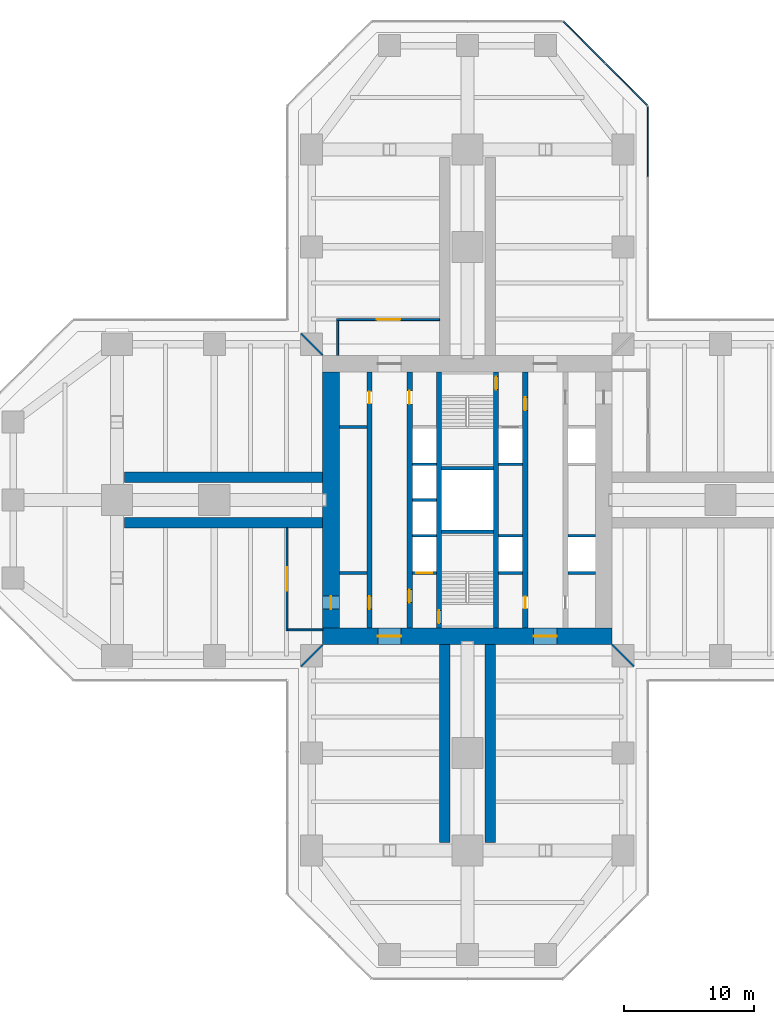
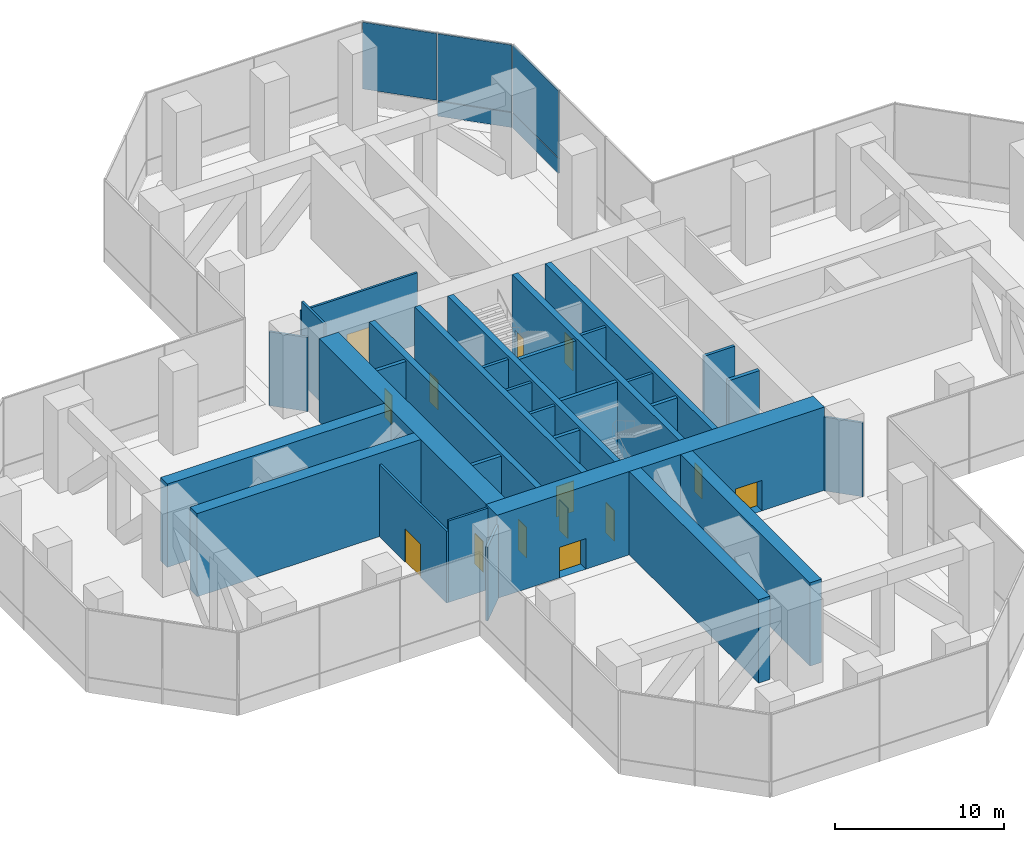
# One storey, part 15 of 20: 31 walls, 14 doors, 5 plates, 14 openings, 2 elements without a shape of their own.
"""IFC4 building model written with IfcOpenShell, lengths in metres."""

from ifc_helpers import new_model, si_unit, direction, frame, frame_2d, origin, origin_2d, place, context, subcontext, project, spatial, rectangle, extrude, material, layer, layer_set, type_object, element, fill, aggregate, save


model = new_model("IFC4")

# Units and contexts
model_context = context("Model", 3, precision=1e-05, world=origin(), true_north=direction((0.0, 1.0)))
body_context = subcontext(model_context, "Body", "Model", "MODEL_VIEW")
ifc_project = project(units=[si_unit("LENGTHUNIT", "METRE"), si_unit("AREAUNIT", "SQUARE_METRE"), si_unit("VOLUMEUNIT", "CUBIC_METRE"), si_unit("PLANEANGLEUNIT", "RADIAN"), si_unit("MASSUNIT", "GRAM", prefix="KILO")], contexts=[model_context])

# Site, building, storey
site_placement = place(None, origin())
site = spatial("IfcSite", under=ifc_project, at=site_placement, CompositionType="ELEMENT")
building_placement = place(site_placement, origin())
building = spatial("IfcBuilding", under=site, at=building_placement, Name="Mizan Broadcast Tower", CompositionType="ELEMENT")
storey_placement = place(building_placement, frame((0.0, 0.0, 118.199951171875)))
storey = spatial("IfcBuildingStorey", under=building, at=storey_placement, Name="L26", CompositionType="ELEMENT", Elevation=118.199951171875)

# Curtain wall, plates
ifc_material_1 = material(Name="Aluminium framed glazing", Category="aluminium")
curtain_wall_type = type_object("IfcCurtainWallType", Name="PLANT LOUVRE", PredefinedType="USERDEFINED", material=ifc_material_1)
curtain_wall_1_placement = place(storey_placement, origin())
curtain_wall_1 = element("IfcCurtainWall", 1, at=curtain_wall_1_placement, inside=storey, type_object=curtain_wall_type, Name="Plant louvre L26 N side", ObjectType="PLANT LOUVRE", PredefinedType="USERDEFINED")
ifc_material_2 = material(Name="Extruded aluminium weather louvre, pale anodised", Category="aluminium")
ifc_layer_1 = layer(ifc_material_2, 0.10009765625)
ifc_layer_set_1 = layer_set([ifc_layer_1], Name="Extruded aluminium weather louvre, pale anodised")
plate_type = type_object("IfcPlateType", Name="PLANT LOUVRE PANEL", PredefinedType="USERDEFINED", material=ifc_layer_set_1)
plate_1_placement = place(storey_placement, frame((13.89990234375, 27.6123046875, 0.0), z_axis=(0.0, 0.0, 1.0), x_axis=(0.0, 1.0, 0.0)))
plate_1 = element("IfcPlate", 2, at=plate_1_placement, type_object=plate_type, Name="Plant louvre L26 N side panel 3.1", ObjectType="LOUVRE", PredefinedType="USERDEFINED", context=body_context, shape_type="SweptSolid", body=[
    extrude(rectangle(XDim=5.40087890625, YDim=0.10009765625, at=origin_2d()), origin(), (0.0, 0.0, 1.0), 1.070068359375),
])
plate_2_placement = place(storey_placement, frame((13.89990234375, 27.6123046875, 1.130126953125), z_axis=(0.0, 0.0, 1.0), x_axis=(0.0, 1.0, 0.0)))
plate_2 = element("IfcPlate", 3, at=plate_2_placement, type_object=plate_type, Name="Plant louvre L26 N side panel 3.2", ObjectType="LOUVRE", PredefinedType="USERDEFINED", context=body_context, shape_type="SweptSolid", body=[
    extrude(rectangle(XDim=5.40087890625, YDim=0.10009765625, at=origin_2d()), origin(), (0.0, 0.0, 1.0), 4.81005859375),
])
aggregate(curtain_wall_1, [plate_1, plate_2])

curtain_wall_2_placement = place(storey_placement, origin())
curtain_wall_2 = element("IfcCurtainWall", 4, at=curtain_wall_2_placement, inside=storey, type_object=curtain_wall_type, Name="Plant louvre L26 N chamfer", ObjectType="PLANT LOUVRE", PredefinedType="USERDEFINED")
plate_3_placement = place(storey_placement, frame((12.257568359375, 32.01513671875, 0.0), z_axis=(0.0, 0.0, 1.0), x_axis=(-0.707106781187, 0.707106781187, 0.0)))
plate_3 = element("IfcPlate", 5, at=plate_3_placement, type_object=plate_type, Name="Plant louvre L26 N chamfer panel 1.1", ObjectType="LOUVRE", PredefinedType="USERDEFINED", context=body_context, shape_type="SweptSolid", body=[
    extrude(rectangle(XDim=4.525390625, YDim=0.10009765625, at=origin_2d()), origin(), (0.0, 0.0, 1.0), 1.070068359375),
])
plate_4_placement = place(storey_placement, frame((12.257568359375, 32.01513671875, 1.130126953125), z_axis=(0.0, 0.0, 1.0), x_axis=(-0.707106781187, 0.707106781187, 0.0)))
plate_4 = element("IfcPlate", 6, at=plate_4_placement, type_object=plate_type, Name="Plant louvre L26 N chamfer panel 1.2", ObjectType="LOUVRE", PredefinedType="USERDEFINED", context=body_context, shape_type="SweptSolid", body=[
    extrude(rectangle(XDim=4.525390625, YDim=0.10009765625, at=origin_2d()), origin(), (0.0, 0.0, 1.0), 4.81005859375),
])
plate_5_placement = place(storey_placement, frame((9.01513671875, 35.257568359375, 1.130126953125), z_axis=(0.0, 0.0, 1.0), x_axis=(-0.707106781187, 0.707106781187, 0.0)))
plate_5 = element("IfcPlate", 7, at=plate_5_placement, type_object=plate_type, Name="Plant louvre L26 N chamfer panel 2.2", ObjectType="LOUVRE", PredefinedType="USERDEFINED", context=body_context, shape_type="SweptSolid", body=[
    extrude(rectangle(XDim=4.525390625, YDim=0.10009765625, at=origin_2d()), origin(), (0.0, 0.0, 1.0), 4.81005859375),
])
aggregate(curtain_wall_2, [plate_3, plate_4, plate_5])

# Wall, openings, doors
ifc_material_3 = material(Name="Concrete C70/85", Category="concrete")
ifc_layer_2 = layer(ifc_material_3, 0.39990234375)
ifc_layer_set_2 = layer_set([ifc_layer_2], Name="Concrete C70/85")
wall_type_1 = type_object("IfcWallType", Name="CORE INTERNAL WALL 400", PredefinedType="SHEAR", material=ifc_layer_set_2)
wall_1_placement = place(storey_placement, frame((-7.550048828125, -9.85009765625, 0.0), z_axis=(0.0, 0.0, 1.0), x_axis=(0.0, 1.0, 0.0)))
wall_1 = element("IfcWall", 8, at=wall_1_placement, inside=storey, type_object=wall_type_1, Name="Core wall CORE/XW1", PredefinedType="SHEAR", context=body_context, shape_type="SweptSolid", body=[
    extrude(rectangle(XDim=19.7001953125, YDim=0.39990234375, at=frame_2d((9.85009765625, 0.0))), origin(), (0.0, 0.0, 1.0), 6.0),
])
opening_1_placement = place(wall_1_placement, frame((1.449951171875, 0.0, 0.0)))
opening_1 = element("IfcOpeningElement", 9, at=opening_1_placement, cuts=wall_1, Name="Opening D10F", PredefinedType="OPENING", context=body_context, shape_type="SweptSolid", body=[
    extrude(rectangle(XDim=1.0, YDim=2.199951171875, at=frame_2d((0.5, 1.10009765625))), frame((0.0, 0.2099609375, 0.0), z_axis=(0.0, -1.0, 0.0), x_axis=(1.0, 0.0, 0.0)), (0.0, 0.0, 1.0), 0.419921875),
])
opening_2_placement = place(wall_1_placement, frame((17.300048828125, 0.0, 0.0)))
opening_2 = element("IfcOpeningElement", 10, at=opening_2_placement, cuts=wall_1, Name="Opening D09", PredefinedType="OPENING", context=body_context, shape_type="SweptSolid", body=[
    extrude(rectangle(XDim=0.89990234375, YDim=2.10009765625, at=frame_2d((0.449951171875, 1.050048828125))), frame((0.0, 0.2099609375, 0.0), z_axis=(0.0, -1.0, 0.0), x_axis=(1.0, 0.0, 0.0)), (0.0, 0.0, 1.0), 0.419921875),
])
ifc_material_4 = material(Name="Steel door leaf in steel frame", Category="steel")
door_type_1 = type_object("IfcDoorType", Name="FIRE DOOR 1000 FD90", OperationType="SINGLE_SWING_LEFT", PredefinedType="DOOR", material=ifc_material_4)
door_1_placement = place(opening_1_placement, origin())
door_1 = element("IfcDoor", 11, at=door_1_placement, inside=storey, type_object=door_type_1, Name="West core passage door", OperationType="SINGLE_SWING_LEFT", OverallHeight=2.199951171875, OverallWidth=1.0, PredefinedType="DOOR", context=body_context, shape_type="SweptSolid", body=[
    extrude(rectangle(XDim=1.0, YDim=2.199951171875, at=frame_2d((0.5, 1.10009765625))), frame((0.0, 0.02490234375, 0.0), z_axis=(0.0, -1.0, 0.0), x_axis=(1.0, 0.0, 0.0)), (0.0, 0.0, 1.0), 0.050048828125),
])
fill(opening_1, door_1)
ifc_material_5 = material(Name="Timber door leaf in aluminium frame", Category="wood")
door_type_2 = type_object("IfcDoorType", Name="TOILET DOOR 900", OperationType="SINGLE_SWING_LEFT", PredefinedType="DOOR", material=ifc_material_5)
door_2_placement = place(opening_2_placement, origin())
door_2 = element("IfcDoor", 12, at=door_2_placement, inside=storey, type_object=door_type_2, Name="Male WC door", OperationType="SINGLE_SWING_RIGHT", OverallHeight=2.10009765625, OverallWidth=0.89990234375, PredefinedType="DOOR", context=body_context, shape_type="SweptSolid", body=[
    extrude(rectangle(XDim=0.89990234375, YDim=2.10009765625, at=frame_2d((0.449951171875, 1.050048828125))), frame((0.0, 0.02490234375, 0.0), z_axis=(0.0, -1.0, 0.0), x_axis=(1.0, 0.0, 0.0)), (0.0, 0.0, 1.0), 0.050048828125),
])
fill(opening_2, door_2)

wall_2_placement = place(storey_placement, frame((-4.449951171875, -9.85009765625, 0.0), z_axis=(0.0, 0.0, 1.0), x_axis=(0.0, 1.0, 0.0)))
wall_2 = element("IfcWall", 13, at=wall_2_placement, inside=storey, type_object=wall_type_1, Name="Core wall CORE/XWH", PredefinedType="SHEAR", context=body_context, shape_type="SweptSolid", body=[
    extrude(rectangle(XDim=19.7001953125, YDim=0.39990234375, at=frame_2d((9.85009765625, 0.0))), origin(), (0.0, 0.0, 1.0), 6.0),
])
opening_3_placement = place(wall_2_placement, frame((1.949951171875, 0.0, 0.0)))
opening_3 = element("IfcOpeningElement", 14, at=opening_3_placement, cuts=wall_2, Name="Opening D10F", PredefinedType="OPENING", context=body_context, shape_type="SweptSolid", body=[
    extrude(rectangle(XDim=1.0, YDim=2.199951171875, at=frame_2d((0.5, 1.10009765625))), frame((0.0, 0.2099609375, 0.0), z_axis=(0.0, -1.0, 0.0), x_axis=(1.0, 0.0, 0.0)), (0.0, 0.0, 1.0), 0.419921875),
])
opening_4_placement = place(wall_2_placement, frame((17.25, 0.0, 0.0)))
opening_4 = element("IfcOpeningElement", 15, at=opening_4_placement, cuts=wall_2, Name="Opening D10A", PredefinedType="OPENING", context=body_context, shape_type="SweptSolid", body=[
    extrude(rectangle(XDim=1.0, YDim=2.10009765625, at=frame_2d((0.5, 1.050048828125))), frame((0.0, 0.2099609375, 0.0), z_axis=(0.0, -1.0, 0.0), x_axis=(1.0, 0.0, 0.0)), (0.0, 0.0, 1.0), 0.419921875),
])
ifc_material_6 = material(Name="Timber door leaf in aluminium frame", Category="wood")
door_type_3 = type_object("IfcDoorType", Name="ACCESSIBLE WC DOOR 1000", OperationType="SLIDING_TO_LEFT", PredefinedType="DOOR", material=ifc_material_6)
door_3_placement = place(opening_4_placement, origin())
door_3 = element("IfcDoor", 16, at=door_3_placement, inside=storey, type_object=door_type_3, Name="Accessible WC door", OperationType="SLIDING_TO_LEFT", OverallHeight=2.10009765625, OverallWidth=1.0, PredefinedType="DOOR", context=body_context, shape_type="SweptSolid", body=[
    extrude(rectangle(XDim=1.0, YDim=2.10009765625, at=frame_2d((0.5, 1.050048828125))), frame((0.0, 0.02490234375, 0.0), z_axis=(0.0, -1.0, 0.0), x_axis=(1.0, 0.0, 0.0)), (0.0, 0.0, 1.0), 0.050048828125),
])
fill(opening_4, door_3)
door_4_placement = place(opening_3_placement, origin())
door_4 = element("IfcDoor", 17, at=door_4_placement, inside=storey, type_object=door_type_1, Name="Firefighting lobby A door", OperationType="SINGLE_SWING_LEFT", OverallHeight=2.199951171875, OverallWidth=1.0, PredefinedType="DOOR", context=body_context, shape_type="SweptSolid", body=[
    extrude(rectangle(XDim=1.0, YDim=2.199951171875, at=frame_2d((0.5, 1.10009765625))), frame((0.0, 0.02490234375, 0.0), z_axis=(0.0, -1.0, 0.0), x_axis=(1.0, 0.0, 0.0)), (0.0, 0.0, 1.0), 0.050048828125),
])
fill(opening_3, door_4)

wall_3_placement = place(storey_placement, frame((4.449951171875, 9.85009765625, 0.0), z_axis=(0.0, 0.0, 1.0), x_axis=(0.0, -1.0, 0.0)))
wall_3 = element("IfcWall", 18, at=wall_3_placement, inside=storey, type_object=wall_type_1, Name="Core wall CORE/XWHE", PredefinedType="SHEAR", context=body_context, shape_type="SweptSolid", body=[
    extrude(rectangle(XDim=19.7001953125, YDim=0.39990234375, at=frame_2d((9.85009765625, 0.0))), origin(), (0.0, 0.0, 1.0), 6.0),
])
opening_5_placement = place(wall_3_placement, frame((1.949951171875, 0.0, 0.0)))
opening_5 = element("IfcOpeningElement", 19, at=opening_5_placement, cuts=wall_3, Name="Opening D10F", PredefinedType="OPENING", context=body_context, shape_type="SweptSolid", body=[
    extrude(rectangle(XDim=1.0, YDim=2.199951171875, at=frame_2d((0.5, 1.10009765625))), frame((0.0, 0.2099609375, 0.0), z_axis=(0.0, -1.0, 0.0), x_axis=(1.0, 0.0, 0.0)), (0.0, 0.0, 1.0), 0.419921875),
])
opening_6_placement = place(wall_3_placement, frame((17.300048828125, 0.0, 0.0)))
opening_6 = element("IfcOpeningElement", 20, at=opening_6_placement, cuts=wall_3, Name="Opening D09", PredefinedType="OPENING", context=body_context, shape_type="SweptSolid", body=[
    extrude(rectangle(XDim=0.89990234375, YDim=2.10009765625, at=frame_2d((0.449951171875, 1.050048828125))), frame((0.0, 0.2099609375, 0.0), z_axis=(0.0, -1.0, 0.0), x_axis=(1.0, 0.0, 0.0)), (0.0, 0.0, 1.0), 0.419921875),
])
door_5_placement = place(opening_5_placement, origin())
door_5 = element("IfcDoor", 21, at=door_5_placement, inside=storey, type_object=door_type_1, Name="Firefighting lobby B door", OperationType="SINGLE_SWING_LEFT", OverallHeight=2.199951171875, OverallWidth=1.0, PredefinedType="DOOR", context=body_context, shape_type="SweptSolid", body=[
    extrude(rectangle(XDim=1.0, YDim=2.199951171875, at=frame_2d((0.5, 1.10009765625))), frame((0.0, 0.02490234375, 0.0), z_axis=(0.0, -1.0, 0.0), x_axis=(1.0, 0.0, 0.0)), (0.0, 0.0, 1.0), 0.050048828125),
])
fill(opening_5, door_5)
door_6_placement = place(opening_6_placement, origin())
door_6 = element("IfcDoor", 22, at=door_6_placement, inside=storey, type_object=door_type_2, Name="Cleaner's store door", OperationType="SINGLE_SWING_RIGHT", OverallHeight=2.10009765625, OverallWidth=0.89990234375, PredefinedType="DOOR", context=body_context, shape_type="SweptSolid", body=[
    extrude(rectangle(XDim=0.89990234375, YDim=2.10009765625, at=frame_2d((0.449951171875, 1.050048828125))), frame((0.0, 0.02490234375, 0.0), z_axis=(0.0, -1.0, 0.0), x_axis=(1.0, 0.0, 0.0)), (0.0, 0.0, 1.0), 0.050048828125),
])
fill(opening_6, door_6)

# Wall, opening, door
wall_4_placement = place(storey_placement, frame((-2.199951171875, -9.85009765625, 0.0), z_axis=(0.0, 0.0, 1.0), x_axis=(0.0, 1.0, 0.0)))
wall_4 = element("IfcWall", 23, at=wall_4_placement, inside=storey, type_object=wall_type_1, Name="Core wall CORE/XW2", PredefinedType="SHEAR", context=body_context, shape_type="SweptSolid", body=[
    extrude(rectangle(XDim=19.7001953125, YDim=0.39990234375, at=frame_2d((9.85009765625, 0.0))), origin(), (0.0, 0.0, 1.0), 6.0),
])
opening_7_placement = place(wall_4_placement, frame((0.35009765625, 0.0, 0.0)))
opening_7 = element("IfcOpeningElement", 24, at=opening_7_placement, cuts=wall_4, Name="Opening D10S", PredefinedType="OPENING", context=body_context, shape_type="SweptSolid", body=[
    extrude(rectangle(XDim=1.0, YDim=2.199951171875, at=frame_2d((0.5, 1.10009765625))), frame((0.0, 0.2099609375, 0.0), z_axis=(0.0, -1.0, 0.0), x_axis=(1.0, 0.0, 0.0)), (0.0, 0.0, 1.0), 0.419921875),
])
ifc_material_7 = material(Name="Steel door leaf in steel frame", Category="steel")
door_type_4 = type_object("IfcDoorType", Name="STAIR DOOR 1000 FD90S", OperationType="SINGLE_SWING_RIGHT", PredefinedType="DOOR", material=ifc_material_7)
door_7_placement = place(opening_7_placement, origin())
door_7 = element("IfcDoor", 25, at=door_7_placement, inside=storey, type_object=door_type_4, Name="Stair A door", OperationType="SINGLE_SWING_RIGHT", OverallHeight=2.199951171875, OverallWidth=1.0, PredefinedType="DOOR", context=body_context, shape_type="SweptSolid", body=[
    extrude(rectangle(XDim=1.0, YDim=2.199951171875, at=frame_2d((0.5, 1.10009765625))), frame((0.0, 0.02490234375, 0.0), z_axis=(0.0, -1.0, 0.0), x_axis=(1.0, 0.0, 0.0)), (0.0, 0.0, 1.0), 0.050048828125),
])
fill(opening_7, door_7)

wall_5_placement = place(storey_placement, frame((2.199951171875, 9.85009765625, 0.0), z_axis=(0.0, 0.0, 1.0), x_axis=(0.0, -1.0, 0.0)))
wall_5 = element("IfcWall", 26, at=wall_5_placement, inside=storey, type_object=wall_type_1, Name="Core wall CORE/XW2E", PredefinedType="SHEAR", context=body_context, shape_type="SweptSolid", body=[
    extrude(rectangle(XDim=19.7001953125, YDim=0.39990234375, at=frame_2d((9.85009765625, 0.0))), origin(), (0.0, 0.0, 1.0), 6.0),
])
opening_8_placement = place(wall_5_placement, frame((0.35009765625, 0.0, 0.0)))
opening_8 = element("IfcOpeningElement", 27, at=opening_8_placement, cuts=wall_5, Name="Opening D10S", PredefinedType="OPENING", context=body_context, shape_type="SweptSolid", body=[
    extrude(rectangle(XDim=1.0, YDim=2.199951171875, at=frame_2d((0.5, 1.10009765625))), frame((0.0, 0.2099609375, 0.0), z_axis=(0.0, -1.0, 0.0), x_axis=(1.0, 0.0, 0.0)), (0.0, 0.0, 1.0), 0.419921875),
])
door_8_placement = place(opening_8_placement, origin())
door_8 = element("IfcDoor", 28, at=door_8_placement, inside=storey, type_object=door_type_4, Name="Stair B door", OperationType="SINGLE_SWING_RIGHT", OverallHeight=2.199951171875, OverallWidth=1.0, PredefinedType="DOOR", context=body_context, shape_type="SweptSolid", body=[
    extrude(rectangle(XDim=1.0, YDim=2.199951171875, at=frame_2d((0.5, 1.10009765625))), frame((0.0, 0.02490234375, 0.0), z_axis=(0.0, -1.0, 0.0), x_axis=(1.0, 0.0, 0.0)), (0.0, 0.0, 1.0), 0.050048828125),
])
fill(opening_8, door_8)

# Wall, openings, doors
ifc_material_8 = material(Name="Concrete C70/85", Category="concrete")
ifc_layer_3 = layer(ifc_material_8, 1.300048828125)
ifc_layer_set_3 = layer_set([ifc_layer_3], Name="Concrete C70/85")
wall_type_2 = type_object("IfcWallType", Name="CORE WALL 1300", PredefinedType="SHEAR", material=ifc_layer_set_3)
wall_6_placement = place(storey_placement, frame((11.14990234375, -10.5, 0.0), z_axis=(0.0, 0.0, 1.0), x_axis=(-1.0, 0.0, 0.0)))
wall_6 = element("IfcWall", 29, at=wall_6_placement, inside=storey, type_object=wall_type_2, Name="Core wall S L26", PredefinedType="SHEAR", context=body_context, shape_type="SweptSolid", body=[
    extrude(rectangle(XDim=22.2998046875, YDim=1.300048828125, at=frame_2d((11.14990234375, 0.0))), origin(), (0.0, 0.0, 1.0), 6.0),
])
opening_9_placement = place(wall_6_placement, frame((16.25, 0.0, 0.0)))
opening_9 = element("IfcOpeningElement", 30, at=opening_9_placement, cuts=wall_6, Name="Opening D18F", PredefinedType="OPENING", context=body_context, shape_type="SweptSolid", body=[
    extrude(rectangle(XDim=1.800048828125, YDim=2.199951171875, at=frame_2d((0.89990234375, 1.10009765625))), frame((0.0, 0.659912109375, 0.0), z_axis=(0.0, -1.0, 0.0), x_axis=(1.0, 0.0, 0.0)), (0.0, 0.0, 1.0), 1.320068359375),
])
opening_10_placement = place(wall_6_placement, frame((4.25, 0.0, 0.0)))
opening_10 = element("IfcOpeningElement", 31, at=opening_10_placement, cuts=wall_6, Name="Opening D18F", PredefinedType="OPENING", context=body_context, shape_type="SweptSolid", body=[
    extrude(rectangle(XDim=1.800048828125, YDim=2.199951171875, at=frame_2d((0.89990234375, 1.10009765625))), frame((0.0, 0.659912109375, 0.0), z_axis=(0.0, -1.0, 0.0), x_axis=(1.0, 0.0, 0.0)), (0.0, 0.0, 1.0), 1.320068359375),
])
ifc_material_9 = material(Name="Steel door leaf in steel frame", Category="steel")
door_type_5 = type_object("IfcDoorType", Name="LOBBY DOUBLE DOOR 1800 FD90", OperationType="DOUBLE_DOOR_DOUBLE_SWING", PredefinedType="DOOR", material=ifc_material_9)
door_9_placement = place(opening_9_placement, origin())
door_9 = element("IfcDoor", 32, at=door_9_placement, inside=storey, type_object=door_type_5, Name="West lift lobby south door", OperationType="DOUBLE_DOOR_DOUBLE_SWING", OverallHeight=2.199951171875, OverallWidth=1.800048828125, PredefinedType="DOOR", context=body_context, shape_type="SweptSolid", body=[
    extrude(rectangle(XDim=1.800048828125, YDim=2.199951171875, at=frame_2d((0.89990234375, 1.10009765625))), frame((0.0, 0.02490234375, 0.0), z_axis=(0.0, -1.0, 0.0), x_axis=(1.0, 0.0, 0.0)), (0.0, 0.0, 1.0), 0.050048828125),
])
fill(opening_9, door_9)
door_10_placement = place(opening_10_placement, origin())
door_10 = element("IfcDoor", 33, at=door_10_placement, inside=storey, type_object=door_type_5, Name="East lift lobby south door", OperationType="DOUBLE_DOOR_DOUBLE_SWING", OverallHeight=2.199951171875, OverallWidth=1.800048828125, PredefinedType="DOOR", context=body_context, shape_type="SweptSolid", body=[
    extrude(rectangle(XDim=1.800048828125, YDim=2.199951171875, at=frame_2d((0.89990234375, 1.10009765625))), frame((0.0, 0.02490234375, 0.0), z_axis=(0.0, -1.0, 0.0), x_axis=(1.0, 0.0, 0.0)), (0.0, 0.0, 1.0), 0.050048828125),
])
fill(opening_10, door_10)

# Wall, opening, door
wall_7_placement = place(storey_placement, frame((-10.5, 9.85009765625, 0.0), z_axis=(0.0, 0.0, 1.0), x_axis=(0.0, -1.0, 0.0)))
wall_7 = element("IfcWall", 34, at=wall_7_placement, inside=storey, type_object=wall_type_2, Name="Core wall W L26", PredefinedType="SHEAR", context=body_context, shape_type="SweptSolid", body=[
    extrude(rectangle(XDim=19.7001953125, YDim=1.300048828125, at=frame_2d((9.85009765625, 0.0))), origin(), (0.0, 0.0, 1.0), 6.0),
])
opening_11_placement = place(wall_7_placement, frame((17.25, 0.0, 0.0)))
opening_11 = element("IfcOpeningElement", 35, at=opening_11_placement, cuts=wall_7, Name="Opening D10F", PredefinedType="OPENING", context=body_context, shape_type="SweptSolid", body=[
    extrude(rectangle(XDim=1.0, YDim=2.199951171875, at=frame_2d((0.5, 1.10009765625))), frame((0.0, 0.659912109375, 0.0), z_axis=(0.0, -1.0, 0.0), x_axis=(1.0, 0.0, 0.0)), (0.0, 0.0, 1.0), 1.320068359375),
])
door_11_placement = place(opening_11_placement, origin())
door_11 = element("IfcDoor", 36, at=door_11_placement, inside=storey, type_object=door_type_1, Name="West core passage arm door", OperationType="SINGLE_SWING_RIGHT", OverallHeight=2.199951171875, OverallWidth=1.0, PredefinedType="DOOR", context=body_context, shape_type="SweptSolid", body=[
    extrude(rectangle(XDim=1.0, YDim=2.199951171875, at=frame_2d((0.5, 1.10009765625))), frame((0.0, 0.02490234375, 0.0), z_axis=(0.0, -1.0, 0.0), x_axis=(1.0, 0.0, 0.0)), (0.0, 0.0, 1.0), 0.050048828125),
])
fill(opening_11, door_11)

# Walls
ifc_material_10 = material(Name="Concrete blockwork", Category="masonry")
ifc_layer_4 = layer(ifc_material_10, 0.199951171875)
ifc_layer_set_4 = layer_set([ifc_layer_4], Name="Concrete blockwork")
wall_type_3 = type_object("IfcWallType", Name="LIFT SHAFT WALL 200", PredefinedType="SOLIDWALL", material=ifc_layer_set_4)
for number, where, z_axis, x_axis, name in (
    (37, (-4.25, -2.75, 0.0), (0.0, 0.0, 1.0), (1.0, 0.0, 0.0), "Lift shaft wall CORE/SW2-1"),
    (38, (2.39990234375, -2.75, 0.0), (0.0, 0.0, 1.0), (1.0, 0.0, 0.0), "Lift shaft wall CORE/SE2-1"),
):
    element("IfcWall", number, at=place(storey_placement, frame(where, z_axis=z_axis, x_axis=x_axis)), inside=storey, type_object=wall_type_3, Name=name, PredefinedType="SOLIDWALL", context=body_context, shape_type="SweptSolid", body=[
        extrude(rectangle(XDim=1.85009765625, YDim=0.199951171875, at=frame_2d((0.925048828125, 0.0))), origin(), (0.0, 0.0, 1.0), 5.800048828125),
    ])
wall_8_placement = place(storey_placement, frame((7.75, -2.75, 0.0), z_axis=(0.0, 0.0, 1.0), x_axis=(1.0, 0.0, 0.0)))
element("IfcWall", 39, at=wall_8_placement, inside=storey, type_object=wall_type_3, Name="Lift shaft wall CORE/SE1-1", PredefinedType="SOLIDWALL", context=body_context, shape_type="SweptSolid", body=[
    extrude(rectangle(XDim=2.10009765625, YDim=0.199951171875, at=frame_2d((1.050048828125, 0.0))), origin(), (0.0, 0.0, 1.0), 5.800048828125),
])
for number, where, z_axis, x_axis, name in (
    (40, (-4.25, 0.0, 0.0), (0.0, 0.0, 1.0), (1.0, 0.0, 0.0), "Lift shaft wall CORE/SW2-2"),
    (41, (-4.25, 2.75, 0.0), (0.0, 0.0, 1.0), (1.0, 0.0, 0.0), "Lift shaft wall CORE/SW2-3"),
    (42, (2.39990234375, 2.75, 0.0), (0.0, 0.0, 1.0), (1.0, 0.0, 0.0), "Lift shaft wall CORE/SE2-3"),
):
    element("IfcWall", number, at=place(storey_placement, frame(where, z_axis=z_axis, x_axis=x_axis)), inside=storey, type_object=wall_type_3, Name=name, PredefinedType="SOLIDWALL", context=body_context, shape_type="SweptSolid", body=[
        extrude(rectangle(XDim=1.85009765625, YDim=0.199951171875, at=frame_2d((0.925048828125, 0.0))), origin(), (0.0, 0.0, 1.0), 5.800048828125),
    ])
ifc_material_11 = material(Name="Concrete blockwork", Category="masonry")
ifc_layer_5 = layer(ifc_material_11, 0.25)
ifc_layer_set_5 = layer_set([ifc_layer_5], Name="Concrete blockwork")
wall_type_4 = type_object("IfcWallType", Name="LOBBY ENCLOSURE WALL 250", PredefinedType="SOLIDWALL", material=ifc_layer_set_5)
for number, where, z_axis, x_axis, name in (
    (43, (-9.85009765625, 5.625, 0.0), (0.0, 0.0, 1.0), (1.0, 0.0, 0.0), "Lobby enclosure wall CORE/BW1N"),
    (44, (-9.85009765625, -5.625, 0.0), (0.0, 0.0, 1.0), (1.0, 0.0, 0.0), "Lobby enclosure wall CORE/BW1S"),
):
    element("IfcWall", number, at=place(storey_placement, frame(where, z_axis=z_axis, x_axis=x_axis)), inside=storey, type_object=wall_type_4, Name=name, PredefinedType="SOLIDWALL", context=body_context, shape_type="SweptSolid", body=[
        extrude(rectangle(XDim=2.10009765625, YDim=0.25, at=frame_2d((1.050048828125, 0.0))), origin(), (0.0, 0.0, 1.0), 5.800048828125),
    ])

# Wall, opening, door
wall_9_placement = place(storey_placement, frame((-4.25, -5.625, 0.0), z_axis=(0.0, 0.0, 1.0), x_axis=(1.0, 0.0, 0.0)))
wall_9 = element("IfcWall", 45, at=wall_9_placement, inside=storey, type_object=wall_type_4, Name="Lobby enclosure wall CORE/BW2S", PredefinedType="SOLIDWALL", context=body_context, shape_type="SweptSolid", body=[
    extrude(rectangle(XDim=1.85009765625, YDim=0.25, at=frame_2d((0.925048828125, 0.0))), origin(), (0.0, 0.0, 1.0), 5.800048828125),
])
opening_12_placement = place(wall_9_placement, frame((0.324951171875, 0.0, 0.0)))
opening_12 = element("IfcOpeningElement", 46, at=opening_12_placement, cuts=wall_9, Name="Opening LDF", PredefinedType="OPENING", context=body_context, shape_type="SweptSolid", body=[
    extrude(rectangle(XDim=1.199951171875, YDim=2.199951171875, at=frame_2d((0.60009765625, 1.10009765625))), frame((0.0, 0.135009765625, 0.0), z_axis=(0.0, -1.0, 0.0), x_axis=(1.0, 0.0, 0.0)), (0.0, 0.0, 1.0), 0.27001953125),
])
ifc_material_12 = material(Name="Steel door leaf in steel frame", Category="steel")
door_type_6 = type_object("IfcDoorType", Name="FIREFIGHTING LIFT LANDING DOOR 1200", OperationType="SLIDING_TO_LEFT", PredefinedType="DOOR", material=ifc_material_12)
door_12_placement = place(opening_12_placement, origin())
door_12 = element("IfcDoor", 47, at=door_12_placement, inside=storey, type_object=door_type_6, Name="Landing door FF1", OperationType="SLIDING_TO_LEFT", OverallHeight=2.199951171875, OverallWidth=1.199951171875, PredefinedType="DOOR", context=body_context, shape_type="SweptSolid", body=[
    extrude(rectangle(XDim=1.199951171875, YDim=2.199951171875, at=frame_2d((0.60009765625, 1.10009765625))), frame((0.0, 0.02490234375, 0.0), z_axis=(0.0, -1.0, 0.0), x_axis=(1.0, 0.0, 0.0)), (0.0, 0.0, 1.0), 0.050048828125),
])
fill(opening_12, door_12)

# Walls
wall_10_placement = place(storey_placement, frame((2.39990234375, -5.625, 0.0), z_axis=(0.0, 0.0, 1.0), x_axis=(1.0, 0.0, 0.0)))
element("IfcWall", 48, at=wall_10_placement, inside=storey, type_object=wall_type_4, Name="Lobby enclosure wall CORE/BE2S", PredefinedType="SOLIDWALL", context=body_context, shape_type="SweptSolid", body=[
    extrude(rectangle(XDim=1.85009765625, YDim=0.25, at=frame_2d((0.925048828125, 0.0))), origin(), (0.0, 0.0, 1.0), 5.800048828125),
])
wall_11_placement = place(storey_placement, frame((7.75, -5.625, 0.0), z_axis=(0.0, 0.0, 1.0), x_axis=(1.0, 0.0, 0.0)))
element("IfcWall", 49, at=wall_11_placement, inside=storey, type_object=wall_type_4, Name="Lobby enclosure wall CORE/BE1S", PredefinedType="SOLIDWALL", context=body_context, shape_type="SweptSolid", body=[
    extrude(rectangle(XDim=2.10009765625, YDim=0.25, at=frame_2d((1.050048828125, 0.0))), origin(), (0.0, 0.0, 1.0), 5.800048828125),
])
for number, where, z_axis, x_axis, name in (
    (50, (-2.0, -2.449951171875, 0.0), (0.0, 0.0, 1.0), (1.0, 0.0, 0.0), "Lobby enclosure wall CORE/STA"),
    (51, (-2.0, 2.449951171875, 0.0), (0.0, 0.0, 1.0), (1.0, 0.0, 0.0), "Lobby enclosure wall CORE/STB"),
):
    element("IfcWall", number, at=place(storey_placement, frame(where, z_axis=z_axis, x_axis=x_axis)), inside=storey, type_object=wall_type_4, Name=name, PredefinedType="SOLIDWALL", context=body_context, shape_type="SweptSolid", body=[
        extrude(rectangle(XDim=4.0, YDim=0.25, at=frame_2d((2.0, 0.0))), origin(), (0.0, 0.0, 1.0), 5.800048828125),
    ])
ifc_material_13 = material(Name="Gypsum board on steel studs", Category="steel")
ifc_layer_6 = layer(ifc_material_13, 0.14990234375)
ifc_layer_set_6 = layer_set([ifc_layer_6], Name="Gypsum board on steel studs")
wall_type_5 = type_object("IfcWallType", Name="PARTITION 150", PredefinedType="PARTITIONING", material=ifc_layer_set_6)
for number, where, z_axis, x_axis, name in (
    (52, (-11.14990234375, 11.14990234375, 0.0), (0.0, 0.0, 1.0), (-0.707106781187, 0.707106781187, 0.0), "Partition PT/DGWN"),
    (53, (-11.14990234375, -11.14990234375, 0.0), (0.0, 0.0, 1.0), (-0.707106781187, -0.707106781187, 0.0), "Partition PT/DGWS"),
    (54, (11.14990234375, -11.14990234375, 0.0), (0.0, 0.0, 1.0), (0.707106781187, -0.707106781187, 0.0), "Partition PT/DGES"),
):
    element("IfcWall", number, at=place(storey_placement, frame(where, z_axis=z_axis, x_axis=x_axis)), inside=storey, type_object=wall_type_5, Name=name, PredefinedType="PARTITIONING", context=body_context, shape_type="SweptSolid", body=[
        extrude(rectangle(XDim=2.362060546875, YDim=0.14990234375, at=frame_2d((1.18115234375, 0.0))), origin(), (0.0, 0.0, 1.0), 5.320068359375),
    ])

# Wall, opening, door
ifc_material_14 = material(Name="Concrete blockwork", Category="masonry")
ifc_layer_7 = layer(ifc_material_14, 0.14990234375)
ifc_layer_set_7 = layer_set([ifc_layer_7], Name="Concrete blockwork")
wall_type_6 = type_object("IfcWallType", Name="PLANT ROOM ENCLOSURE WALL 150", PredefinedType="SOLIDWALL", material=ifc_layer_set_7)
wall_12_placement = place(storey_placement, frame((-13.89990234375, -2.14990234375, 0.0), z_axis=(0.0, 0.0, 1.0), x_axis=(0.0, -1.0, 0.0)))
wall_12 = element("IfcWall", 55, at=wall_12_placement, inside=storey, type_object=wall_type_6, Name="Plant room wall PT/WLU", PredefinedType="SOLIDWALL", context=body_context, shape_type="SweptSolid", body=[
    extrude(rectangle(XDim=7.925048828125, YDim=0.14990234375, at=frame_2d((3.96240234375, 0.0))), origin(), (0.0, 0.0, 1.0), 5.179931640625),
])
opening_13_placement = place(wall_12_placement, frame((3.02490234375, 0.0, 0.0)))
opening_13 = element("IfcOpeningElement", 56, at=opening_13_placement, cuts=wall_12, Name="Opening D18P", PredefinedType="OPENING", context=body_context, shape_type="SweptSolid", body=[
    extrude(rectangle(XDim=1.800048828125, YDim=2.39990234375, at=frame_2d((0.89990234375, 1.199951171875))), frame((0.0, 0.0849609375, 0.0), z_axis=(0.0, -1.0, 0.0), x_axis=(1.0, 0.0, 0.0)), (0.0, 0.0, 1.0), 0.169921875),
])
ifc_material_15 = material(Name="Steel door leaf in steel frame", Category="steel")
door_type_7 = type_object("IfcDoorType", Name="PLANT ROOM DOUBLE DOOR 1800x2400 FD90", OperationType="DOUBLE_DOOR_DOUBLE_SWING", PredefinedType="DOOR", material=ifc_material_15)
door_13_placement = place(opening_13_placement, origin())
door_13 = element("IfcDoor", 57, at=door_13_placement, inside=storey, type_object=door_type_7, Name="Electrical plant room door", OperationType="DOUBLE_DOOR_DOUBLE_SWING", OverallHeight=2.39990234375, OverallWidth=1.800048828125, PredefinedType="DOOR", context=body_context, shape_type="SweptSolid", body=[
    extrude(rectangle(XDim=1.800048828125, YDim=2.39990234375, at=frame_2d((0.89990234375, 1.199951171875))), frame((0.0, 0.02490234375, 0.0), z_axis=(0.0, -1.0, 0.0), x_axis=(1.0, 0.0, 0.0)), (0.0, 0.0, 1.0), 0.050048828125),
])
fill(opening_13, door_13)

# Wall
wall_13_placement = place(storey_placement, frame((-11.14990234375, -10.0, 0.0), z_axis=(0.0, 0.0, 1.0), x_axis=(-1.0, 0.0, 0.0)))
element("IfcWall", 58, at=wall_13_placement, inside=storey, type_object=wall_type_6, Name="Plant room wall PT/WLV", PredefinedType="SOLIDWALL", context=body_context, shape_type="SweptSolid", body=[
    extrude(rectangle(XDim=2.675048828125, YDim=0.14990234375, at=frame_2d((1.33740234375, 0.0))), origin(), (0.0, 0.0, 1.0), 5.8701171875),
])

# Wall, opening, door
wall_14_placement = place(storey_placement, frame((-2.14990234375, 13.89990234375, 0.0), z_axis=(0.0, 0.0, 1.0), x_axis=(-1.0, 0.0, 0.0)))
wall_14 = element("IfcWall", 59, at=wall_14_placement, inside=storey, type_object=wall_type_6, Name="Plant room wall PT/NLU", PredefinedType="SOLIDWALL", context=body_context, shape_type="SweptSolid", body=[
    extrude(rectangle(XDim=7.925048828125, YDim=0.14990234375, at=frame_2d((3.96240234375, 0.0))), origin(), (0.0, 0.0, 1.0), 5.179931640625),
])
opening_14_placement = place(wall_14_placement, frame((3.02490234375, 0.0, 0.0)))
opening_14 = element("IfcOpeningElement", 60, at=opening_14_placement, cuts=wall_14, Name="Opening D18P", PredefinedType="OPENING", context=body_context, shape_type="SweptSolid", body=[
    extrude(rectangle(XDim=1.800048828125, YDim=2.39990234375, at=frame_2d((0.89990234375, 1.199951171875))), frame((0.0, 0.0849609375, 0.0), z_axis=(0.0, -1.0, 0.0), x_axis=(1.0, 0.0, 0.0)), (0.0, 0.0, 1.0), 0.169921875),
])
door_14_placement = place(opening_14_placement, origin())
door_14 = element("IfcDoor", 61, at=door_14_placement, inside=storey, type_object=door_type_7, Name="Water tank room door", OperationType="DOUBLE_DOOR_DOUBLE_SWING", OverallHeight=2.39990234375, OverallWidth=1.800048828125, PredefinedType="DOOR", context=body_context, shape_type="SweptSolid", body=[
    extrude(rectangle(XDim=1.800048828125, YDim=2.39990234375, at=frame_2d((0.89990234375, 1.199951171875))), frame((0.0, 0.02490234375, 0.0), z_axis=(0.0, -1.0, 0.0), x_axis=(1.0, 0.0, 0.0)), (0.0, 0.0, 1.0), 0.050048828125),
])
fill(opening_14, door_14)

# Walls
wall_15_placement = place(storey_placement, frame((-10.0, 11.14990234375, 0.0), z_axis=(0.0, 0.0, 1.0), x_axis=(0.0, 1.0, 0.0)))
element("IfcWall", 62, at=wall_15_placement, inside=storey, type_object=wall_type_6, Name="Plant room wall PT/NLV", PredefinedType="SOLIDWALL", context=body_context, shape_type="SweptSolid", body=[
    extrude(rectangle(XDim=2.675048828125, YDim=0.14990234375, at=frame_2d((1.33740234375, 0.0))), origin(), (0.0, 0.0, 1.0), 5.8701171875),
])
ifc_material_16 = material(Name="Concrete C70/85", Category="concrete")
ifc_layer_8 = layer(ifc_material_16, 0.800048828125)
ifc_layer_set_8 = layer_set([ifc_layer_8], Name="Concrete C70/85")
wall_type_7 = type_object("IfcWallType", Name="SPINE WALL 800", PredefinedType="SHEAR", material=ifc_layer_set_8)
for number, where, z_axis, x_axis, name in (
    (63, (-11.14990234375, 1.75, 0.0), (0.0, 0.0, 1.0), (-1.0, 0.0, 0.0), "Spine wall WR L26"),
    (64, (-11.14990234375, -1.75, 0.0), (0.0, 0.0, 1.0), (-1.0, 0.0, 0.0), "Spine wall WL L26"),
    (65, (-1.75, -11.14990234375, 0.0), (0.0, 0.0, 1.0), (0.0, -1.0, 0.0), "Spine wall SR L26"),
    (66, (1.75, -11.14990234375, 0.0), (0.0, 0.0, 1.0), (0.0, -1.0, 0.0), "Spine wall SL L26"),
):
    element("IfcWall", number, at=place(storey_placement, frame(where, z_axis=z_axis, x_axis=x_axis)), inside=storey, type_object=wall_type_7, Name=name, PredefinedType="SHEAR", context=body_context, shape_type="SweptSolid", body=[
        extrude(rectangle(XDim=15.25, YDim=0.800048828125, at=frame_2d((7.625, 0.0))), origin(), (0.0, 0.0, 1.0), 6.0),
    ])

save(model, "model.ifc")
